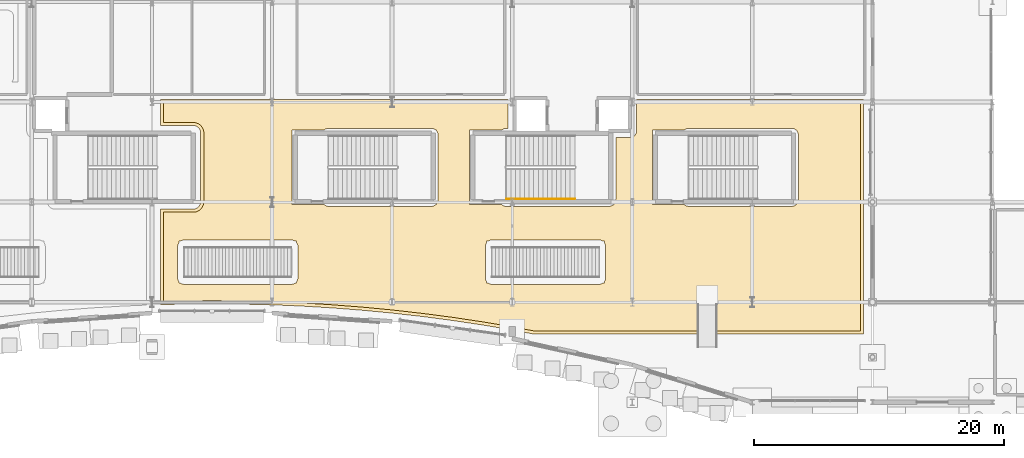
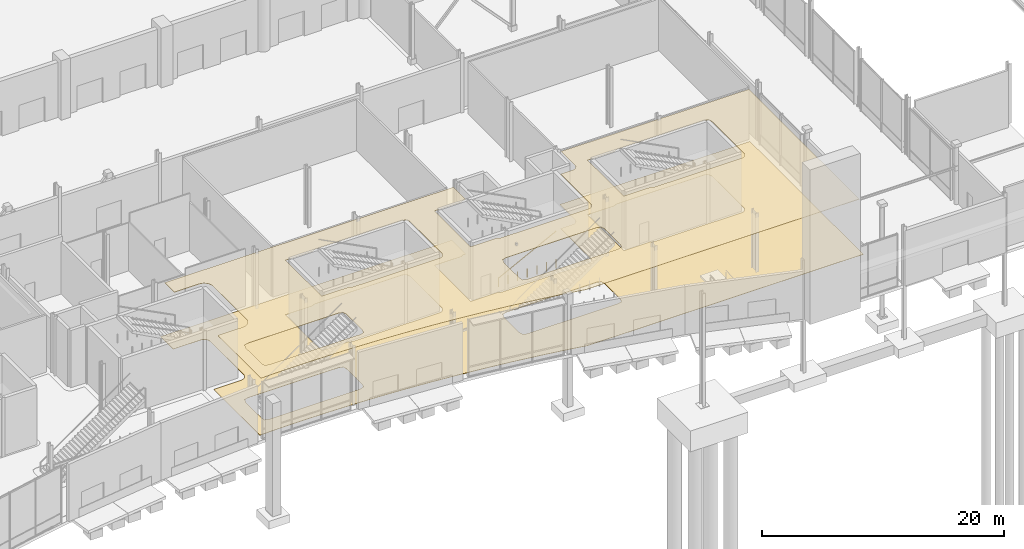
# One storey, part 108 of 124: 2 coverings, 1 railing.
"""IFC4 building model written with IfcOpenShell, lengths in metres."""

from ifc_helpers import new_model, si_unit, direction, frame, origin, origin_2d, place, context, subcontext, project, spatial, polyline, circle, outline, extrude, material, layer, layer_set, type_object, element, save


model = new_model("IFC4")

# Units and contexts
model_context = context("Model", 3, precision=1e-05, world=origin(), true_north=direction((0.0, 1.0)))
body_context = subcontext(model_context, "Body", "Model", "MODEL_VIEW")
ifc_project = project(units=[si_unit("LENGTHUNIT", "METRE"), si_unit("AREAUNIT", "SQUARE_METRE"), si_unit("VOLUMEUNIT", "CUBIC_METRE"), si_unit("PLANEANGLEUNIT", "RADIAN"), si_unit("MASSUNIT", "GRAM", prefix="KILO")], contexts=[model_context])

# Site, building, storey
site_placement = place(None, origin())
site = spatial("IfcSite", under=ifc_project, at=site_placement, CompositionType="ELEMENT")
building_placement = place(site_placement, origin())
building = spatial("IfcBuilding", under=site, at=building_placement, Name="Danafjord Basin Convention Centre", CompositionType="ELEMENT")
storey_placement = place(building_placement, origin())
storey = spatial("IfcBuildingStorey", under=building, at=storey_placement, Name="L00", CompositionType="ELEMENT", Elevation=0.0)

# Coverings
ifc_material_1 = material(Name="Perforated Nordic birch acoustic slats")
ifc_layer_1 = layer(ifc_material_1, 0.0400390625)
ifc_layer_set_1 = layer_set([ifc_layer_1], Name="Perforated Nordic birch acoustic slats")
covering_type_1 = type_object("IfcCoveringType", Name="COV-CLG-AC01", PredefinedType="CEILING", material=ifc_layer_set_1)
covering_1_placement = place(storey_placement, frame((0.0, 0.0, 5.489990234375)))
element("IfcCovering", 1, at=covering_1_placement, inside=storey, type_object=covering_type_1, Name="Central Exhibition Pre-Function Foyer acoustic ceiling", PredefinedType="CEILING", context=body_context, shape_type="SweptSolid", body=[
    extrude(outline(polyline([(114.22998046875, 5.699951171875), (88.14111328125, 5.699951171875), (86.5458984375, 6.001953125), (86.532958984375, 6.00390625), (84.131103515625, 6.410888671875), (84.117919921875, 6.4130859375), (81.716064453125, 6.77490234375), (81.702880859375, 6.777099609375), (79.301025390625, 7.093017578125), (79.2890625, 7.093994140625), (76.886962890625, 7.367919921875), (76.8740234375, 7.3701171875), (74.471923828125, 7.59912109375), (74.4599609375, 7.60009765625), (72.05908203125, 7.787109375), (72.047119140625, 7.7880859375), (69.64501953125, 7.93408203125), (69.633056640625, 7.93408203125), (67.23095703125, 8.037109375), (67.218994140625, 8.0380859375), (64.81689453125, 8.09912109375), (64.804931640625, 8.09912109375), (62.404052734375, 8.1201171875), (62.39208984375, 8.1201171875), (59.989990234375, 8.09912109375), (59.97802734375, 8.09912109375), (58.5400390625, 8.06103515625), (58.5400390625, 15.18994140625), (60.889892578125, 15.18994140625), (60.93408203125, 15.19091796875), (60.949951171875, 15.19189453125), (60.9990234375, 15.197021484375), (61.013916015625, 15.198974609375), (61.10107421875, 15.217041015625), (61.115966796875, 15.220947265625), (61.156982421875, 15.23291015625), (61.172119140625, 15.238037109375), (61.263916015625, 15.27587890625), (61.278076171875, 15.282958984375), (61.31201171875, 15.301025390625), (61.325927734375, 15.30908203125), (61.376953125, 15.341064453125), (61.389892578125, 15.35009765625), (61.44091796875, 15.388916015625), (61.487060546875, 15.430908203125), (61.498046875, 15.44189453125), (61.509033203125, 15.452880859375), (61.551025390625, 15.4990234375), (61.590087890625, 15.550048828125), (61.59912109375, 15.56298828125), (61.631103515625, 15.614013671875), (61.638916015625, 15.6279296875), (61.656982421875, 15.662109375), (61.6640625, 15.676025390625), (61.701904296875, 15.76806640625), (61.70703125, 15.782958984375), (61.718994140625, 15.823974609375), (61.722900390625, 15.839111328125), (61.740966796875, 15.926025390625), (61.742919921875, 15.94091796875), (61.748046875, 15.989990234375), (61.7490234375, 16.006103515625), (61.75, 16.050048828125), (61.75, 21.510009765625), (61.7490234375, 21.553955078125), (61.748046875, 21.570068359375), (61.742919921875, 21.618896484375), (61.740966796875, 21.634033203125), (61.722900390625, 21.720947265625), (61.718994140625, 21.736083984375), (61.70703125, 21.777099609375), (61.701904296875, 21.7919921875), (61.6640625, 21.884033203125), (61.656982421875, 21.89794921875), (61.638916015625, 21.931884765625), (61.631103515625, 21.946044921875), (61.59912109375, 21.9970703125), (61.590087890625, 22.010009765625), (61.551025390625, 22.06103515625), (61.509033203125, 22.10693359375), (61.498046875, 22.117919921875), (61.487060546875, 22.12890625), (61.44091796875, 22.1708984375), (61.389892578125, 22.2099609375), (61.376953125, 22.218994140625), (61.325927734375, 22.2509765625), (61.31201171875, 22.259033203125), (61.278076171875, 22.277099609375), (61.263916015625, 22.283935546875), (61.172119140625, 22.322021484375), (61.156982421875, 22.326904296875), (61.115966796875, 22.339111328125), (61.10107421875, 22.343017578125), (61.013916015625, 22.361083984375), (60.9990234375, 22.363037109375), (60.949951171875, 22.367919921875), (60.93408203125, 22.368896484375), (60.889892578125, 22.3701171875), (58.5400390625, 22.3701171875), (58.5400390625, 23.949951171875), (86.050048828125, 23.949951171875), (86.050048828125, 21.89990234375), (85.929931640625, 21.89990234375), (85.8759765625, 21.89697265625), (85.822998046875, 21.888916015625), (85.77001953125, 21.8759765625), (85.719970703125, 21.85791015625), (85.6708984375, 21.8349609375), (85.6240234375, 21.806884765625), (85.5810546875, 21.77490234375), (85.56396484375, 21.760009765625), (83.0, 21.760009765625), (83.0, 15.800048828125), (85.56396484375, 15.800048828125), (85.5810546875, 15.784912109375), (85.6240234375, 15.7529296875), (85.6708984375, 15.72509765625), (85.719970703125, 15.701904296875), (85.77001953125, 15.68408203125), (85.822998046875, 15.6708984375), (85.8759765625, 15.6630859375), (85.929931640625, 15.659912109375), (94.1298828125, 15.659912109375), (94.18408203125, 15.6630859375), (94.237060546875, 15.6708984375), (94.2900390625, 15.68408203125), (94.340087890625, 15.701904296875), (94.388916015625, 15.72509765625), (94.43603515625, 15.7529296875), (94.47900390625, 15.784912109375), (94.49609375, 15.800048828125), (94.5400390625, 15.800048828125), (94.5400390625, 15.843994140625), (94.554931640625, 15.861083984375), (94.5869140625, 15.904052734375), (94.614990234375, 15.950927734375), (94.637939453125, 16.0), (94.656005859375, 16.050048828125), (94.6689453125, 16.10302734375), (94.677001953125, 16.156005859375), (94.679931640625, 16.2099609375), (94.679931640625, 21.14990234375), (95.800048828125, 21.14990234375), (95.85400390625, 21.153076171875), (95.906982421875, 21.160888671875), (95.9599609375, 21.174072265625), (96.010009765625, 21.19189453125), (96.05908203125, 21.215087890625), (96.10595703125, 21.242919921875), (96.14892578125, 21.27490234375), (96.18896484375, 21.31103515625), (96.22509765625, 21.35107421875), (96.257080078125, 21.39404296875), (96.284912109375, 21.44091796875), (96.30810546875, 21.489990234375), (96.325927734375, 21.5400390625), (96.339111328125, 21.593017578125), (96.346923828125, 21.64599609375), (96.35009765625, 21.699951171875), (96.35009765625, 23.949951171875), (114.22998046875, 23.949951171875), (114.22998046875, 5.699951171875)]), holes=[polyline([(108.93994140625, 15.701904296875), (108.989013671875, 15.72509765625), (109.035888671875, 15.7529296875), (109.0791015625, 15.784912109375), (109.095947265625, 15.800048828125), (109.139892578125, 15.800048828125), (109.139892578125, 15.843994140625), (109.155029296875, 15.861083984375), (109.18701171875, 15.904052734375), (109.215087890625, 15.950927734375), (109.238037109375, 16.0), (109.256103515625, 16.050048828125), (109.26904296875, 16.10302734375), (109.277099609375, 16.156005859375), (109.280029296875, 16.2099609375), (109.280029296875, 21.35009765625), (109.277099609375, 21.404052734375), (109.26904296875, 21.45703125), (109.256103515625, 21.510009765625), (109.238037109375, 21.56005859375), (109.215087890625, 21.60888671875), (109.18701171875, 21.656005859375), (109.155029296875, 21.698974609375), (109.139892578125, 21.716064453125), (109.139892578125, 21.760009765625), (109.095947265625, 21.760009765625), (109.0791015625, 21.77490234375), (109.035888671875, 21.806884765625), (108.989013671875, 21.8349609375), (108.93994140625, 21.85791015625), (108.889892578125, 21.8759765625), (108.8369140625, 21.888916015625), (108.783935546875, 21.89697265625), (108.72998046875, 21.89990234375), (100.530029296875, 21.89990234375), (100.47607421875, 21.89697265625), (100.423095703125, 21.888916015625), (100.3701171875, 21.8759765625), (100.320068359375, 21.85791015625), (100.27099609375, 21.8349609375), (100.22412109375, 21.806884765625), (100.180908203125, 21.77490234375), (100.1640625, 21.760009765625), (97.60009765625, 21.760009765625), (97.60009765625, 15.800048828125), (100.1640625, 15.800048828125), (100.180908203125, 15.784912109375), (100.22412109375, 15.7529296875), (100.27099609375, 15.72509765625), (100.320068359375, 15.701904296875), (100.3701171875, 15.68408203125), (100.423095703125, 15.6708984375), (100.47607421875, 15.6630859375), (100.530029296875, 15.659912109375), (108.72998046875, 15.659912109375), (108.783935546875, 15.6630859375), (108.8369140625, 15.6708984375), (108.889892578125, 15.68408203125), (108.93994140625, 15.701904296875)]), polyline([(84.590087890625, 12.93310546875), (84.541015625, 12.909912109375), (84.493896484375, 12.882080078125), (84.485107421875, 12.875), (84.35009765625, 12.875), (84.35009765625, 12.739990234375), (84.343017578125, 12.73095703125), (84.31494140625, 12.68408203125), (84.2919921875, 12.635009765625), (84.27392578125, 12.5849609375), (84.260986328125, 12.531982421875), (84.2529296875, 12.47900390625), (84.25, 12.425048828125), (84.25, 9.97509765625), (84.2529296875, 9.9208984375), (84.260986328125, 9.867919921875), (84.27392578125, 9.81494140625), (84.2919921875, 9.764892578125), (84.31494140625, 9.716064453125), (84.343017578125, 9.6689453125), (84.35009765625, 9.659912109375), (84.35009765625, 9.52490234375), (84.485107421875, 9.52490234375), (84.493896484375, 9.51806640625), (84.541015625, 9.489990234375), (84.590087890625, 9.467041015625), (84.639892578125, 9.448974609375), (84.693115234375, 9.43603515625), (84.74609375, 9.427978515625), (84.800048828125, 9.425048828125), (93.324951171875, 9.425048828125), (93.37890625, 9.427978515625), (93.431884765625, 9.43603515625), (93.485107421875, 9.448974609375), (93.534912109375, 9.467041015625), (93.583984375, 9.489990234375), (93.631103515625, 9.51806640625), (93.639892578125, 9.52490234375), (93.77490234375, 9.52490234375), (93.77490234375, 9.659912109375), (93.781982421875, 9.6689453125), (93.81005859375, 9.716064453125), (93.8330078125, 9.764892578125), (93.85107421875, 9.81494140625), (93.864013671875, 9.867919921875), (93.8720703125, 9.9208984375), (93.875, 9.97509765625), (93.875, 12.425048828125), (93.8720703125, 12.47900390625), (93.864013671875, 12.531982421875), (93.85107421875, 12.5849609375), (93.8330078125, 12.635009765625), (93.81005859375, 12.68408203125), (93.781982421875, 12.73095703125), (93.77490234375, 12.739990234375), (93.77490234375, 12.875), (93.639892578125, 12.875), (93.631103515625, 12.882080078125), (93.583984375, 12.909912109375), (93.534912109375, 12.93310546875), (93.485107421875, 12.950927734375), (93.431884765625, 12.964111328125), (93.37890625, 12.971923828125), (93.324951171875, 12.97509765625), (84.800048828125, 12.97509765625), (84.74609375, 12.971923828125), (84.693115234375, 12.964111328125), (84.639892578125, 12.950927734375), (84.590087890625, 12.93310546875)]), polyline([(71.470947265625, 21.8349609375), (71.424072265625, 21.806884765625), (71.381103515625, 21.77490234375), (71.364013671875, 21.760009765625), (68.800048828125, 21.760009765625), (68.800048828125, 15.800048828125), (71.364013671875, 15.800048828125), (71.381103515625, 15.784912109375), (71.424072265625, 15.7529296875), (71.470947265625, 15.72509765625), (71.52001953125, 15.701904296875), (71.570068359375, 15.68408203125), (71.623046875, 15.6708984375), (71.676025390625, 15.6630859375), (71.72998046875, 15.659912109375), (79.929931640625, 15.659912109375), (79.98388671875, 15.6630859375), (80.037109375, 15.6708984375), (80.090087890625, 15.68408203125), (80.139892578125, 15.701904296875), (80.18896484375, 15.72509765625), (80.236083984375, 15.7529296875), (80.279052734375, 15.784912109375), (80.2958984375, 15.800048828125), (80.340087890625, 15.800048828125), (80.340087890625, 15.843994140625), (80.35498046875, 15.861083984375), (80.386962890625, 15.904052734375), (80.4150390625, 15.950927734375), (80.43798828125, 16.0), (80.4560546875, 16.050048828125), (80.468994140625, 16.10302734375), (80.47705078125, 16.156005859375), (80.47998046875, 16.2099609375), (80.47998046875, 21.35009765625), (80.47705078125, 21.404052734375), (80.468994140625, 21.45703125), (80.4560546875, 21.510009765625), (80.43798828125, 21.56005859375), (80.4150390625, 21.60888671875), (80.386962890625, 21.656005859375), (80.35498046875, 21.698974609375), (80.340087890625, 21.716064453125), (80.340087890625, 21.760009765625), (80.2958984375, 21.760009765625), (80.279052734375, 21.77490234375), (80.236083984375, 21.806884765625), (80.18896484375, 21.8349609375), (80.139892578125, 21.85791015625), (80.090087890625, 21.8759765625), (80.037109375, 21.888916015625), (79.98388671875, 21.89697265625), (79.929931640625, 21.89990234375), (71.72998046875, 21.89990234375), (71.676025390625, 21.89697265625), (71.623046875, 21.888916015625), (71.570068359375, 21.8759765625), (71.52001953125, 21.85791015625), (71.470947265625, 21.8349609375)]), polyline([(59.989990234375, 12.93310546875), (59.94091796875, 12.909912109375), (59.89404296875, 12.882080078125), (59.885009765625, 12.875), (59.75, 12.875), (59.75, 12.739990234375), (59.742919921875, 12.73095703125), (59.715087890625, 12.68408203125), (59.69189453125, 12.635009765625), (59.674072265625, 12.5849609375), (59.660888671875, 12.531982421875), (59.653076171875, 12.47900390625), (59.64990234375, 12.425048828125), (59.64990234375, 9.97509765625), (59.653076171875, 9.9208984375), (59.660888671875, 9.867919921875), (59.674072265625, 9.81494140625), (59.69189453125, 9.764892578125), (59.715087890625, 9.716064453125), (59.742919921875, 9.6689453125), (59.75, 9.659912109375), (59.75, 9.52490234375), (59.885009765625, 9.52490234375), (59.89404296875, 9.51806640625), (59.94091796875, 9.489990234375), (59.989990234375, 9.467041015625), (60.0400390625, 9.448974609375), (60.093017578125, 9.43603515625), (60.14599609375, 9.427978515625), (60.199951171875, 9.425048828125), (68.72509765625, 9.425048828125), (68.779052734375, 9.427978515625), (68.83203125, 9.43603515625), (68.885009765625, 9.448974609375), (68.93505859375, 9.467041015625), (68.98388671875, 9.489990234375), (69.031005859375, 9.51806640625), (69.0400390625, 9.52490234375), (69.175048828125, 9.52490234375), (69.175048828125, 9.659912109375), (69.181884765625, 9.6689453125), (69.2099609375, 9.716064453125), (69.23291015625, 9.764892578125), (69.2509765625, 9.81494140625), (69.263916015625, 9.867919921875), (69.27197265625, 9.9208984375), (69.27490234375, 9.97509765625), (69.27490234375, 12.425048828125), (69.27197265625, 12.47900390625), (69.263916015625, 12.531982421875), (69.2509765625, 12.5849609375), (69.23291015625, 12.635009765625), (69.2099609375, 12.68408203125), (69.181884765625, 12.73095703125), (69.175048828125, 12.739990234375), (69.175048828125, 12.875), (69.0400390625, 12.875), (69.031005859375, 12.882080078125), (68.98388671875, 12.909912109375), (68.93505859375, 12.93310546875), (68.885009765625, 12.950927734375), (68.83203125, 12.964111328125), (68.779052734375, 12.971923828125), (68.72509765625, 12.97509765625), (60.199951171875, 12.97509765625), (60.14599609375, 12.971923828125), (60.093017578125, 12.964111328125), (60.0400390625, 12.950927734375), (59.989990234375, 12.93310546875)])]), origin(), (0.0, 0.0, 1.0), 0.0400390625),
])
ifc_material_2 = material(Name="Polished Bohus granite terrazzo", Category="masonry")
ifc_layer_2 = layer(ifc_material_2, 0.030029296875)
ifc_layer_set_2 = layer_set([ifc_layer_2], Name="Polished Bohus granite terrazzo")
covering_type_2 = type_object("IfcCoveringType", Name="COV-FLR-TER01", PredefinedType="FLOORING", material=ifc_layer_set_2)
covering_2_placement = place(storey_placement, origin())
element("IfcCovering", 2, at=covering_2_placement, inside=storey, type_object=covering_type_2, Name="Central Exhibition Pre-Function Foyer finish flooring", PredefinedType="FLOORING", context=body_context, shape_type="SweptSolid", body=[
    extrude(outline(polyline([(114.47998046875, 5.449951171875), (88.116943359375, 5.449951171875), (86.5, 5.756103515625), (86.490966796875, 5.758056640625), (84.089111328125, 6.1650390625), (84.0810546875, 6.166015625), (81.678955078125, 6.528076171875), (81.6708984375, 6.529052734375), (79.26904296875, 6.844970703125), (79.260986328125, 6.845947265625), (76.85888671875, 7.1201171875), (76.85107421875, 7.12109375), (74.448974609375, 7.35009765625), (74.44091796875, 7.35107421875), (72.0400390625, 7.5380859375), (72.031982421875, 7.5380859375), (69.6298828125, 7.68408203125), (69.6220703125, 7.68505859375), (67.219970703125, 7.7880859375), (67.2119140625, 7.7880859375), (64.81005859375, 7.84912109375), (64.802978515625, 7.84912109375), (62.402099609375, 7.8701171875), (62.39404296875, 7.8701171875), (59.991943359375, 7.84912109375), (59.98388671875, 7.84912109375), (58.2900390625, 7.804931640625), (58.2900390625, 15.43994140625), (60.889892578125, 15.43994140625), (60.91796875, 15.44091796875), (60.93408203125, 15.44189453125), (60.965087890625, 15.445068359375), (60.97998046875, 15.447021484375), (61.037109375, 15.4580078125), (61.052001953125, 15.4619140625), (61.077880859375, 15.469970703125), (61.093017578125, 15.47509765625), (61.152099609375, 15.5), (61.166015625, 15.507080078125), (61.18798828125, 15.51806640625), (61.201904296875, 15.52587890625), (61.235107421875, 15.547119140625), (61.248046875, 15.555908203125), (61.280029296875, 15.5810546875), (61.31005859375, 15.60791015625), (61.321044921875, 15.618896484375), (61.33203125, 15.6298828125), (61.35888671875, 15.659912109375), (61.384033203125, 15.69189453125), (61.39306640625, 15.705078125), (61.4140625, 15.738037109375), (61.422119140625, 15.751953125), (61.43310546875, 15.77392578125), (61.43994140625, 15.7880859375), (61.465087890625, 15.846923828125), (61.469970703125, 15.862060546875), (61.47802734375, 15.887939453125), (61.48193359375, 15.903076171875), (61.492919921875, 15.9599609375), (61.4951171875, 15.97509765625), (61.498046875, 16.006103515625), (61.4990234375, 16.02197265625), (61.5, 16.050048828125), (61.5, 21.510009765625), (61.4990234375, 21.5380859375), (61.498046875, 21.553955078125), (61.4951171875, 21.5849609375), (61.492919921875, 21.60009765625), (61.48193359375, 21.656982421875), (61.47802734375, 21.672119140625), (61.469970703125, 21.697998046875), (61.465087890625, 21.712890625), (61.43994140625, 21.77197265625), (61.43310546875, 21.785888671875), (61.422119140625, 21.80810546875), (61.4140625, 21.822021484375), (61.39306640625, 21.85498046875), (61.384033203125, 21.867919921875), (61.35888671875, 21.89990234375), (61.33203125, 21.929931640625), (61.321044921875, 21.94091796875), (61.31005859375, 21.951904296875), (61.280029296875, 21.97900390625), (61.248046875, 22.00390625), (61.235107421875, 22.012939453125), (61.201904296875, 22.033935546875), (61.18798828125, 22.0419921875), (61.166015625, 22.052978515625), (61.152099609375, 22.06005859375), (61.093017578125, 22.0849609375), (61.077880859375, 22.090087890625), (61.052001953125, 22.097900390625), (61.037109375, 22.10205078125), (60.97998046875, 22.113037109375), (60.965087890625, 22.114990234375), (60.93408203125, 22.117919921875), (60.91796875, 22.118896484375), (60.889892578125, 22.1201171875), (58.2900390625, 22.1201171875), (58.2900390625, 24.199951171875), (86.050048828125, 24.199951171875), (86.050048828125, 21.89990234375), (85.929931640625, 21.89990234375), (85.8759765625, 21.89697265625), (85.822998046875, 21.888916015625), (85.77001953125, 21.8759765625), (85.719970703125, 21.85791015625), (85.6708984375, 21.8349609375), (85.6240234375, 21.806884765625), (85.5810546875, 21.77490234375), (85.56396484375, 21.760009765625), (83.0, 21.760009765625), (83.0, 15.800048828125), (85.56396484375, 15.800048828125), (85.5810546875, 15.784912109375), (85.6240234375, 15.7529296875), (85.6708984375, 15.72509765625), (85.719970703125, 15.701904296875), (85.77001953125, 15.68408203125), (85.822998046875, 15.6708984375), (85.8759765625, 15.6630859375), (85.929931640625, 15.659912109375), (94.1298828125, 15.659912109375), (94.18408203125, 15.6630859375), (94.237060546875, 15.6708984375), (94.2900390625, 15.68408203125), (94.340087890625, 15.701904296875), (94.388916015625, 15.72509765625), (94.43603515625, 15.7529296875), (94.47900390625, 15.784912109375), (94.49609375, 15.800048828125), (94.5400390625, 15.800048828125), (94.5400390625, 15.843994140625), (94.554931640625, 15.861083984375), (94.5869140625, 15.904052734375), (94.614990234375, 15.950927734375), (94.637939453125, 16.0), (94.656005859375, 16.050048828125), (94.6689453125, 16.10302734375), (94.677001953125, 16.156005859375), (94.679931640625, 16.2099609375), (94.679931640625, 21.14990234375), (95.800048828125, 21.14990234375), (95.85400390625, 21.153076171875), (95.906982421875, 21.160888671875), (95.9599609375, 21.174072265625), (96.010009765625, 21.19189453125), (96.05908203125, 21.215087890625), (96.10595703125, 21.242919921875), (96.14892578125, 21.27490234375), (96.18896484375, 21.31103515625), (96.22509765625, 21.35107421875), (96.257080078125, 21.39404296875), (96.284912109375, 21.44091796875), (96.30810546875, 21.489990234375), (96.325927734375, 21.5400390625), (96.339111328125, 21.593017578125), (96.346923828125, 21.64599609375), (96.35009765625, 21.699951171875), (96.35009765625, 24.199951171875), (114.47998046875, 24.199951171875), (114.47998046875, 5.449951171875)]), holes=[polyline([(108.93994140625, 15.701904296875), (108.989013671875, 15.72509765625), (109.035888671875, 15.7529296875), (109.0791015625, 15.784912109375), (109.095947265625, 15.800048828125), (109.139892578125, 15.800048828125), (109.139892578125, 15.843994140625), (109.155029296875, 15.861083984375), (109.18701171875, 15.904052734375), (109.215087890625, 15.950927734375), (109.238037109375, 16.0), (109.256103515625, 16.050048828125), (109.26904296875, 16.10302734375), (109.277099609375, 16.156005859375), (109.280029296875, 16.2099609375), (109.280029296875, 21.35009765625), (109.277099609375, 21.404052734375), (109.26904296875, 21.45703125), (109.256103515625, 21.510009765625), (109.238037109375, 21.56005859375), (109.215087890625, 21.60888671875), (109.18701171875, 21.656005859375), (109.155029296875, 21.698974609375), (109.139892578125, 21.716064453125), (109.139892578125, 21.760009765625), (109.095947265625, 21.760009765625), (109.0791015625, 21.77490234375), (109.035888671875, 21.806884765625), (108.989013671875, 21.8349609375), (108.93994140625, 21.85791015625), (108.889892578125, 21.8759765625), (108.8369140625, 21.888916015625), (108.783935546875, 21.89697265625), (108.72998046875, 21.89990234375), (100.530029296875, 21.89990234375), (100.47607421875, 21.89697265625), (100.423095703125, 21.888916015625), (100.3701171875, 21.8759765625), (100.320068359375, 21.85791015625), (100.27099609375, 21.8349609375), (100.22412109375, 21.806884765625), (100.180908203125, 21.77490234375), (100.1640625, 21.760009765625), (97.60009765625, 21.760009765625), (97.60009765625, 15.800048828125), (100.1640625, 15.800048828125), (100.180908203125, 15.784912109375), (100.22412109375, 15.7529296875), (100.27099609375, 15.72509765625), (100.320068359375, 15.701904296875), (100.3701171875, 15.68408203125), (100.423095703125, 15.6708984375), (100.47607421875, 15.6630859375), (100.530029296875, 15.659912109375), (108.72998046875, 15.659912109375), (108.783935546875, 15.6630859375), (108.8369140625, 15.6708984375), (108.889892578125, 15.68408203125), (108.93994140625, 15.701904296875)]), polyline([(84.590087890625, 12.93310546875), (84.541015625, 12.909912109375), (84.493896484375, 12.882080078125), (84.485107421875, 12.875), (84.35009765625, 12.875), (84.35009765625, 12.739990234375), (84.343017578125, 12.73095703125), (84.31494140625, 12.68408203125), (84.2919921875, 12.635009765625), (84.27392578125, 12.5849609375), (84.260986328125, 12.531982421875), (84.2529296875, 12.47900390625), (84.25, 12.425048828125), (84.25, 9.97509765625), (84.2529296875, 9.9208984375), (84.260986328125, 9.867919921875), (84.27392578125, 9.81494140625), (84.2919921875, 9.764892578125), (84.31494140625, 9.716064453125), (84.343017578125, 9.6689453125), (84.35009765625, 9.659912109375), (84.35009765625, 9.52490234375), (84.485107421875, 9.52490234375), (84.493896484375, 9.51806640625), (84.541015625, 9.489990234375), (84.590087890625, 9.467041015625), (84.639892578125, 9.448974609375), (84.693115234375, 9.43603515625), (84.74609375, 9.427978515625), (84.800048828125, 9.425048828125), (93.324951171875, 9.425048828125), (93.37890625, 9.427978515625), (93.431884765625, 9.43603515625), (93.485107421875, 9.448974609375), (93.534912109375, 9.467041015625), (93.583984375, 9.489990234375), (93.631103515625, 9.51806640625), (93.639892578125, 9.52490234375), (93.77490234375, 9.52490234375), (93.77490234375, 9.659912109375), (93.781982421875, 9.6689453125), (93.81005859375, 9.716064453125), (93.8330078125, 9.764892578125), (93.85107421875, 9.81494140625), (93.864013671875, 9.867919921875), (93.8720703125, 9.9208984375), (93.875, 9.97509765625), (93.875, 12.425048828125), (93.8720703125, 12.47900390625), (93.864013671875, 12.531982421875), (93.85107421875, 12.5849609375), (93.8330078125, 12.635009765625), (93.81005859375, 12.68408203125), (93.781982421875, 12.73095703125), (93.77490234375, 12.739990234375), (93.77490234375, 12.875), (93.639892578125, 12.875), (93.631103515625, 12.882080078125), (93.583984375, 12.909912109375), (93.534912109375, 12.93310546875), (93.485107421875, 12.950927734375), (93.431884765625, 12.964111328125), (93.37890625, 12.971923828125), (93.324951171875, 12.97509765625), (84.800048828125, 12.97509765625), (84.74609375, 12.971923828125), (84.693115234375, 12.964111328125), (84.639892578125, 12.950927734375), (84.590087890625, 12.93310546875)]), polyline([(71.470947265625, 21.8349609375), (71.424072265625, 21.806884765625), (71.381103515625, 21.77490234375), (71.364013671875, 21.760009765625), (68.800048828125, 21.760009765625), (68.800048828125, 15.800048828125), (71.364013671875, 15.800048828125), (71.381103515625, 15.784912109375), (71.424072265625, 15.7529296875), (71.470947265625, 15.72509765625), (71.52001953125, 15.701904296875), (71.570068359375, 15.68408203125), (71.623046875, 15.6708984375), (71.676025390625, 15.6630859375), (71.72998046875, 15.659912109375), (79.929931640625, 15.659912109375), (79.98388671875, 15.6630859375), (80.037109375, 15.6708984375), (80.090087890625, 15.68408203125), (80.139892578125, 15.701904296875), (80.18896484375, 15.72509765625), (80.236083984375, 15.7529296875), (80.279052734375, 15.784912109375), (80.2958984375, 15.800048828125), (80.340087890625, 15.800048828125), (80.340087890625, 15.843994140625), (80.35498046875, 15.861083984375), (80.386962890625, 15.904052734375), (80.4150390625, 15.950927734375), (80.43798828125, 16.0), (80.4560546875, 16.050048828125), (80.468994140625, 16.10302734375), (80.47705078125, 16.156005859375), (80.47998046875, 16.2099609375), (80.47998046875, 21.35009765625), (80.47705078125, 21.404052734375), (80.468994140625, 21.45703125), (80.4560546875, 21.510009765625), (80.43798828125, 21.56005859375), (80.4150390625, 21.60888671875), (80.386962890625, 21.656005859375), (80.35498046875, 21.698974609375), (80.340087890625, 21.716064453125), (80.340087890625, 21.760009765625), (80.2958984375, 21.760009765625), (80.279052734375, 21.77490234375), (80.236083984375, 21.806884765625), (80.18896484375, 21.8349609375), (80.139892578125, 21.85791015625), (80.090087890625, 21.8759765625), (80.037109375, 21.888916015625), (79.98388671875, 21.89697265625), (79.929931640625, 21.89990234375), (71.72998046875, 21.89990234375), (71.676025390625, 21.89697265625), (71.623046875, 21.888916015625), (71.570068359375, 21.8759765625), (71.52001953125, 21.85791015625), (71.470947265625, 21.8349609375)]), polyline([(59.989990234375, 12.93310546875), (59.94091796875, 12.909912109375), (59.89404296875, 12.882080078125), (59.885009765625, 12.875), (59.75, 12.875), (59.75, 12.739990234375), (59.742919921875, 12.73095703125), (59.715087890625, 12.68408203125), (59.69189453125, 12.635009765625), (59.674072265625, 12.5849609375), (59.660888671875, 12.531982421875), (59.653076171875, 12.47900390625), (59.64990234375, 12.425048828125), (59.64990234375, 9.97509765625), (59.653076171875, 9.9208984375), (59.660888671875, 9.867919921875), (59.674072265625, 9.81494140625), (59.69189453125, 9.764892578125), (59.715087890625, 9.716064453125), (59.742919921875, 9.6689453125), (59.75, 9.659912109375), (59.75, 9.52490234375), (59.885009765625, 9.52490234375), (59.89404296875, 9.51806640625), (59.94091796875, 9.489990234375), (59.989990234375, 9.467041015625), (60.0400390625, 9.448974609375), (60.093017578125, 9.43603515625), (60.14599609375, 9.427978515625), (60.199951171875, 9.425048828125), (68.72509765625, 9.425048828125), (68.779052734375, 9.427978515625), (68.83203125, 9.43603515625), (68.885009765625, 9.448974609375), (68.93505859375, 9.467041015625), (68.98388671875, 9.489990234375), (69.031005859375, 9.51806640625), (69.0400390625, 9.52490234375), (69.175048828125, 9.52490234375), (69.175048828125, 9.659912109375), (69.181884765625, 9.6689453125), (69.2099609375, 9.716064453125), (69.23291015625, 9.764892578125), (69.2509765625, 9.81494140625), (69.263916015625, 9.867919921875), (69.27197265625, 9.9208984375), (69.27490234375, 9.97509765625), (69.27490234375, 12.425048828125), (69.27197265625, 12.47900390625), (69.263916015625, 12.531982421875), (69.2509765625, 12.5849609375), (69.23291015625, 12.635009765625), (69.2099609375, 12.68408203125), (69.181884765625, 12.73095703125), (69.175048828125, 12.739990234375), (69.175048828125, 12.875), (69.0400390625, 12.875), (69.031005859375, 12.882080078125), (68.98388671875, 12.909912109375), (68.93505859375, 12.93310546875), (68.885009765625, 12.950927734375), (68.83203125, 12.964111328125), (68.779052734375, 12.971923828125), (68.72509765625, 12.97509765625), (60.199951171875, 12.97509765625), (60.14599609375, 12.971923828125), (60.093017578125, 12.964111328125), (60.0400390625, 12.950927734375), (59.989990234375, 12.93310546875)])]), origin(), (0.0, 0.0, 1.0), 0.030029296875),
])

# Railing
ifc_material_3 = material(Name="Brushed stainless steel EN 1.4404", Category="steel")
railing_type = type_object("IfcRailingType", Name="RL-HR-STAIR", PredefinedType="HANDRAIL", material=ifc_material_3)
railing_placement = place(storey_placement, frame((85.929931640625, 16.260009765625, 0.1875)))
element("IfcRailing", 3, at=railing_placement, inside=storey, type_object=railing_type, Name="L00 ST-03 stair handrail 1", PredefinedType="HANDRAIL", context=body_context, shape_type="SweptSolid", body=[
    extrude(circle(Radius=0.02392578125, at=origin_2d()), frame((0.0, 0.0, 0.8759765625), z_axis=(0.889503409663, 0.0, 0.456928532922), x_axis=(0.0, 1.0, 0.0)), (0.0, 0.0, 1.0), 6.1552734375),
    extrude(circle(Radius=0.02099609375, at=origin_2d()), origin(), (0.0, 0.0, 1.0), 0.849853515625),
    extrude(circle(Radius=0.02099609375, at=origin_2d()), frame((0.91259765625, 0.0, 0.0)), (0.0, 0.0, 1.0), 0.849853515625),
    extrude(circle(Radius=0.02099609375, at=origin_2d()), frame((1.824951171875, 0.0, 0.0)), (0.0, 0.0, 1.0), 0.849853515625),
    extrude(circle(Radius=0.02099609375, at=origin_2d()), frame((2.737548828125, 0.0, 0.0)), (0.0, 0.0, 1.0), 0.849853515625),
    extrude(circle(Radius=0.02099609375, at=origin_2d()), frame((3.650146484375, 0.0, 0.0)), (0.0, 0.0, 1.0), 0.849853515625),
    extrude(circle(Radius=0.02099609375, at=origin_2d()), frame((4.5625, 0.0, 0.0)), (0.0, 0.0, 1.0), 0.849853515625),
    extrude(circle(Radius=0.02099609375, at=origin_2d()), frame((5.47509765625, 0.0, 0.0)), (0.0, 0.0, 1.0), 0.849853515625),
])

save(model, "model.ifc")
